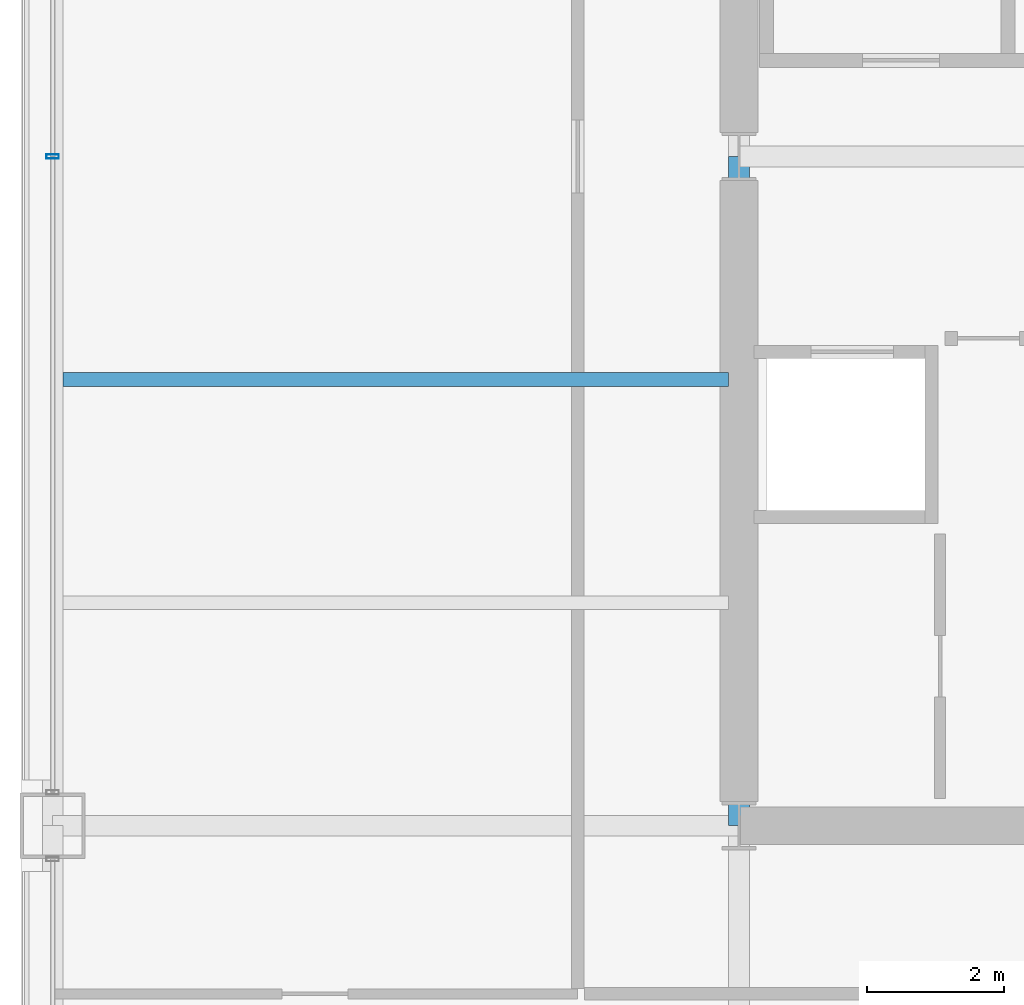
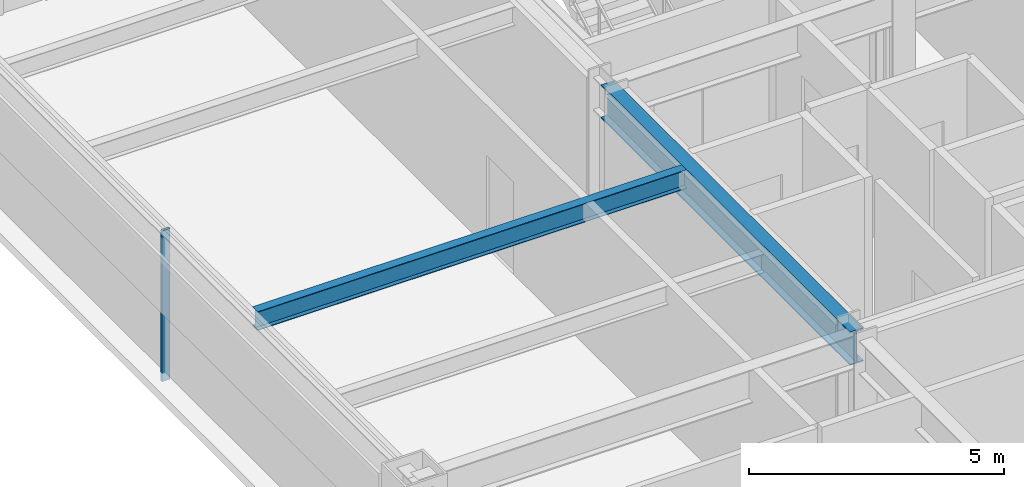
# One storey, part 8 of 31: 2 beams, 1 member, 1 element without a shape of its own.
"""IFC4 building model written with IfcOpenShell, lengths in metres."""

from ifc_helpers import new_model, si_unit, direction, frame, origin, origin_2d, place, context, subcontext, project, spatial, hollow_rectangle, i_section, extrude, material, layer, layer_set, material_profile, profile_set, type_object, element, aggregate, save


model = new_model("IFC4")

# Units and contexts
model_context = context("Model", 3, precision=1e-05, world=origin(), true_north=direction((0.0, 1.0)))
body_context = subcontext(model_context, "Body", "Model", "MODEL_VIEW")
ifc_project = project(units=[si_unit("LENGTHUNIT", "METRE"), si_unit("AREAUNIT", "SQUARE_METRE"), si_unit("VOLUMEUNIT", "CUBIC_METRE"), si_unit("PLANEANGLEUNIT", "RADIAN"), si_unit("MASSUNIT", "GRAM", prefix="KILO")], contexts=[model_context])

# Site, building, storey
site_placement = place(None, origin())
site = spatial("IfcSite", under=ifc_project, at=site_placement, CompositionType="ELEMENT")
building_placement = place(site_placement, origin())
building = spatial("IfcBuilding", under=site, at=building_placement, Name="Brelmoor Portico Tower", CompositionType="ELEMENT")
storey_placement = place(building_placement, frame((0.0, 0.0, 27.60009765625)))
storey = spatial("IfcBuildingStorey", under=building, at=storey_placement, Name="L06", CompositionType="ELEMENT", Elevation=27.60009765625)

# Beams
ifc_material_1 = material(Name="Steel Q355B", Category="steel")
ifc_material_profile_1 = material_profile(ifc_material_1, i_section(OverallWidth=0.199951171875, OverallDepth=0.449951171875, WebThickness=0.009033203125, FlangeThickness=0.013916015625, at=origin_2d()), Name="HN 450x200x9x14")
ifc_profile_set_1 = profile_set([ifc_material_profile_1], Name="Steel Q355B")
beam_type_1 = type_object("IfcBeamType", Name="BM-JS-450", PredefinedType="JOIST", material=ifc_profile_set_1)
beam_1_placement = place(storey_placement, frame((-24.39990234375, -3.25, 3.1748046875), z_axis=(1.0, 0.0, 0.0), x_axis=(0.0, 1.0, 0.0)))
element("IfcBeam", 1, at=beam_1_placement, inside=storey, type_object=beam_type_1, Name="L06 Secondary Wing Joist JS-W06", PredefinedType="JOIST", context=body_context, shape_type="SweptSolid", body=[
    extrude(i_section(OverallWidth=0.199951171875, OverallDepth=0.449951171875, WebThickness=0.009033203125, FlangeThickness=0.013916015625, at=origin_2d()), origin(), (0.0, 0.0, 1.0), 9.699951171875),
])
ifc_material_profile_2 = material_profile(ifc_material_1, i_section(OverallWidth=0.300048828125, OverallDepth=0.800048828125, WebThickness=0.013916015625, FlangeThickness=0.02587890625, at=origin_2d()), Name="HN 800x300x14x26")
ifc_profile_set_2 = profile_set([ifc_material_profile_2], Name="Steel Q355B")
beam_type_2 = type_object("IfcBeamType", Name="BM-PG-800", PredefinedType="BEAM", material=ifc_profile_set_2)
beam_2_placement = place(storey_placement, frame((-14.550048828125, -9.75, 3.0), z_axis=(0.0, 1.0, 0.0), x_axis=(-1.0, 0.0, 0.0)))
element("IfcBeam", 2, at=beam_2_placement, inside=storey, type_object=beam_type_2, Name="L06 Primary Floor Girder PG-04", PredefinedType="BEAM", context=body_context, shape_type="SweptSolid", body=[
    extrude(i_section(OverallWidth=0.300048828125, OverallDepth=0.800048828125, WebThickness=0.013916015625, FlangeThickness=0.02587890625, at=origin_2d()), origin(), (0.0, 0.0, 1.0), 9.75),
])

# Curtain wall, member
ifc_material_2 = material(Name="Anodised Aluminium Alloy 6063-T6", Category="aluminium")
ifc_layer = layer(ifc_material_2, 0.179931640625)
ifc_layer_set = layer_set([ifc_layer], Name="Anodised Aluminium Alloy 6063-T6")
curtain_wall_type = type_object("IfcCurtainWallType", Name="CW-TOWER-Z1-XB", PredefinedType="NOTDEFINED", material=ifc_layer_set)
curtain_wall_placement = place(storey_placement, origin())
curtain_wall = element("IfcCurtainWall", 3, at=curtain_wall_placement, inside=storey, type_object=curtain_wall_type, Name="L06 Curtain Wall CW-L06-03-2", PredefinedType="NOTDEFINED")
ifc_material_profile_3 = material_profile(ifc_material_2, hollow_rectangle(XDim=0.06494140625, YDim=0.179931640625, WallThickness=0.00390625, at=origin_2d()), Name="ALU MULLION 65x180")
ifc_profile_set_3 = profile_set([ifc_material_profile_3], Name="Anodised Aluminium Alloy 6063-T6")
member_type = type_object("IfcMemberType", Name="MB-CW-MULL-180", PredefinedType="MULLION", material=ifc_profile_set_3)
member_placement = place(storey_placement, frame((-24.550048828125, 0.0, -0.2001953125), z_axis=(0.0, 0.0, 1.0), x_axis=(0.0, 1.0, 0.0)))
member = element("IfcMember", 4, at=member_placement, type_object=member_type, Name="CW-L06-03-2 Mullion 01", PredefinedType="MULLION", context=body_context, shape_type="SweptSolid", body=[
    extrude(hollow_rectangle(XDim=0.06494140625, YDim=0.179931640625, WallThickness=0.00390625, at=origin_2d()), origin(), (0.0, 0.0, 1.0), 3.60009765625),
])
aggregate(curtain_wall, [member])

save(model, "model.ifc")
